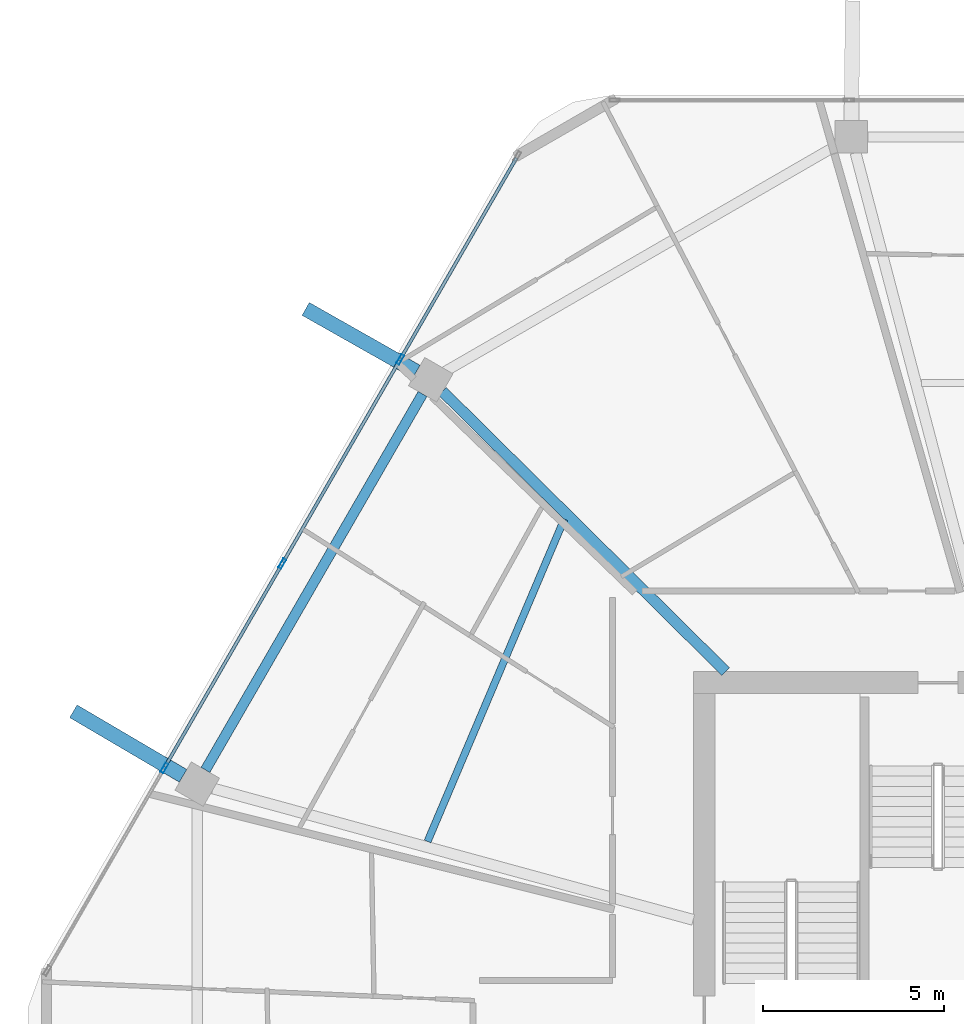
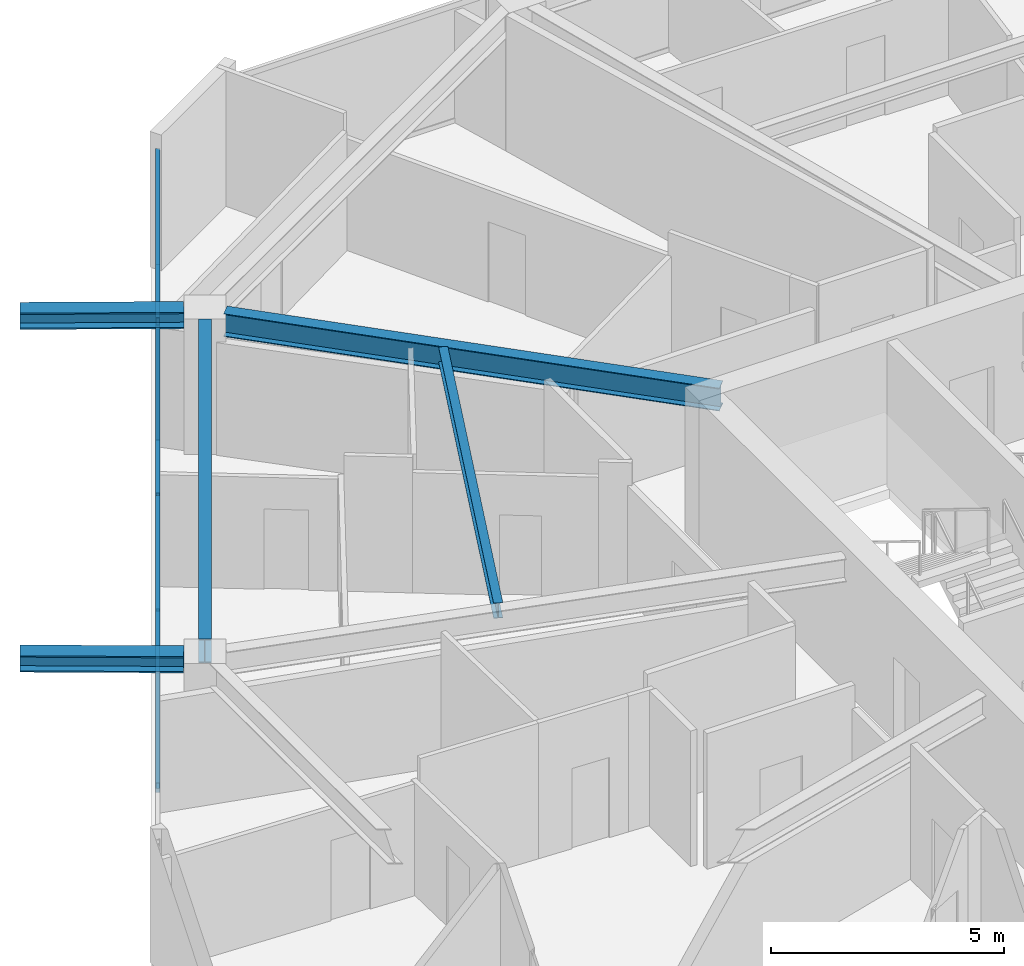
# One storey, part 11 of 26: 9 members, 5 beams, 1 element without a shape of its own.
"""IFC4 building model written with IfcOpenShell, lengths in metres."""

from ifc_helpers import new_model, si_unit, direction, frame, origin, origin_2d, place, context, subcontext, project, spatial, hollow_rectangle, i_section, extrude, material, material_profile, profile_set, type_object, element, aggregate, save


model = new_model("IFC4")

# Units and contexts
model_context = context("Model", 3, precision=1e-05, world=origin(), true_north=direction((0.0, 1.0)))
body_context = subcontext(model_context, "Body", "Model", "MODEL_VIEW")
ifc_project = project(units=[si_unit("LENGTHUNIT", "METRE"), si_unit("AREAUNIT", "SQUARE_METRE"), si_unit("VOLUMEUNIT", "CUBIC_METRE"), si_unit("PLANEANGLEUNIT", "RADIAN"), si_unit("MASSUNIT", "GRAM", prefix="KILO")], contexts=[model_context])

# Site, building, storey
site_placement = place(None, origin())
site = spatial("IfcSite", under=ifc_project, at=site_placement, CompositionType="ELEMENT")
building_placement = place(site_placement, origin())
building = spatial("IfcBuilding", under=site, at=building_placement, Name="Zuhravey Tower", CompositionType="ELEMENT")
storey_placement = place(building_placement, frame((0.0, 0.0, 250.199951171875)))
storey = spatial("IfcBuildingStorey", under=building, at=storey_placement, Name="L63", CompositionType="ELEMENT", Elevation=250.199951171875)

# Curtain wall, members
ifc_material_1 = material(Name="Thermally broken anodised aluminium", Category="aluminium")
curtain_wall_type = type_object("IfcCurtainWallType", Name="Zone 3-4 High-Rise Curtain Wall CW4", PredefinedType="NOTDEFINED", material=ifc_material_1)
curtain_wall_placement = place(storey_placement, origin())
curtain_wall = element("IfcCurtainWall", 1, at=curtain_wall_placement, inside=storey, type_object=curtain_wall_type, Name="L63 CW4 CW-L63-F3-1", PredefinedType="NOTDEFINED")
ifc_material_2 = material(Name="Anodised aluminium", Category="aluminium")
ifc_material_profile_1 = material_profile(ifc_material_2, hollow_rectangle(XDim=0.090087890625, YDim=0.284912109375, WallThickness=0.0048828125, at=origin_2d()), Name="ALU-RHS-90x285x5")
ifc_profile_set_1 = profile_set([ifc_material_profile_1], Name="Anodised aluminium")
member_type_1 = type_object("IfcMemberType", Name="Curtain-Wall Mullion 90x180", PredefinedType="MULLION", material=ifc_profile_set_1)
member_1_placement = place(storey_placement, frame((10.608154296875, 39.147216796875, 0.0), z_axis=(0.0, 0.0, 1.0), x_axis=(-0.866024851021, 0.500000957414, 0.0)))
member_1 = element("IfcMember", 2, at=member_1_placement, type_object=member_type_1, Name="CW4 mullion 2", PredefinedType="MULLION", context=body_context, shape_type="SweptSolid", body=[
    extrude(hollow_rectangle(XDim=0.090087890625, YDim=0.284912109375, WallThickness=0.0048828125, at=origin_2d()), origin(), (0.0, 0.0, 1.0), 3.1220703125),
])
member_2_placement = place(storey_placement, frame((13.861328125, 44.78173828125, 0.0), z_axis=(0.0, 0.0, 1.0), x_axis=(-0.866024851021, 0.500000957414, 0.0)))
member_2 = element("IfcMember", 3, at=member_2_placement, type_object=member_type_1, Name="CW4 mullion 3", PredefinedType="MULLION", context=body_context, shape_type="SweptSolid", body=[
    extrude(hollow_rectangle(XDim=0.090087890625, YDim=0.284912109375, WallThickness=0.0048828125, at=origin_2d()), origin(), (0.0, 0.0, 1.0), 3.1220703125),
])
member_3_placement = place(storey_placement, frame((17.114501953125, 50.41650390625, 0.0), z_axis=(0.0, 0.0, 1.0), x_axis=(-0.866024851021, 0.500000957414, 0.0)))
member_3 = element("IfcMember", 4, at=member_3_placement, type_object=member_type_1, Name="CW4 mullion 4", PredefinedType="MULLION", context=body_context, shape_type="SweptSolid", body=[
    extrude(hollow_rectangle(XDim=0.090087890625, YDim=0.284912109375, WallThickness=0.0048828125, at=origin_2d()), origin(), (0.0, 0.0, 1.0), 3.1220703125),
])
ifc_material_profile_2 = material_profile(ifc_material_2, hollow_rectangle(XDim=0.090087890625, YDim=0.14990234375, WallThickness=0.0048828125, at=origin_2d()), Name="ALU-RHS-90x150x5")
ifc_profile_set_2 = profile_set([ifc_material_profile_2], Name="Anodised aluminium")
member_type_2 = type_object("IfcMemberType", Name="Curtain-Wall Transom 90x150", PredefinedType="USERDEFINED", material=ifc_profile_set_2)
member_4_placement = place(storey_placement, frame((10.630615234375, 39.18603515625, 0.045166015625), z_axis=(0.499998017366, 0.866026548456, 0.0), x_axis=(-0.866026548456, 0.499998017366, 0.0)))
member_4 = element("IfcMember", 5, at=member_4_placement, type_object=member_type_2, Name="CW4 transom 2.1", ObjectType="TRANSOM", PredefinedType="USERDEFINED", context=body_context, shape_type="SweptSolid", body=[
    extrude(hollow_rectangle(XDim=0.090087890625, YDim=0.14990234375, WallThickness=0.0048828125, at=origin_2d()), origin(), (0.0, 0.0, 1.0), 6.41650390625),
])
member_5_placement = place(storey_placement, frame((10.630615234375, 39.18603515625, 3.0771484375), z_axis=(0.499998017366, 0.866026548456, 0.0), x_axis=(-0.866026548456, 0.499998017366, 0.0)))
member_5 = element("IfcMember", 6, at=member_5_placement, type_object=member_type_2, Name="CW4 transom 2.2", ObjectType="TRANSOM", PredefinedType="USERDEFINED", context=body_context, shape_type="SweptSolid", body=[
    extrude(hollow_rectangle(XDim=0.090087890625, YDim=0.14990234375, WallThickness=0.0048828125, at=origin_2d()), origin(), (0.0, 0.0, 1.0), 6.41650390625),
])
member_6_placement = place(storey_placement, frame((13.8837890625, 44.82080078125, 0.045166015625), z_axis=(0.500014493347, 0.866017035885, 0.0), x_axis=(-0.866017035885, 0.500014493347, 0.0)))
member_6 = element("IfcMember", 7, at=member_6_placement, type_object=member_type_2, Name="CW4 transom 3.1", ObjectType="TRANSOM", PredefinedType="USERDEFINED", context=body_context, shape_type="SweptSolid", body=[
    extrude(hollow_rectangle(XDim=0.090087890625, YDim=0.14990234375, WallThickness=0.0048828125, at=origin_2d()), origin(), (0.0, 0.0, 1.0), 6.416259765625),
])
member_7_placement = place(storey_placement, frame((13.8837890625, 44.82080078125, 3.0771484375), z_axis=(0.500014493347, 0.866017035885, 0.0), x_axis=(-0.866017035885, 0.500014493347, 0.0)))
member_7 = element("IfcMember", 8, at=member_7_placement, type_object=member_type_2, Name="CW4 transom 3.2", ObjectType="TRANSOM", PredefinedType="USERDEFINED", context=body_context, shape_type="SweptSolid", body=[
    extrude(hollow_rectangle(XDim=0.090087890625, YDim=0.14990234375, WallThickness=0.0048828125, at=origin_2d()), origin(), (0.0, 0.0, 1.0), 6.416259765625),
])
member_8_placement = place(storey_placement, frame((17.136962890625, 50.455322265625, 0.045166015625), z_axis=(0.499980071345, 0.866036909293, 0.0), x_axis=(-0.866036909293, 0.499980071345, 0.0)))
member_8 = element("IfcMember", 9, at=member_8_placement, type_object=member_type_2, Name="CW4 transom 4.1", ObjectType="TRANSOM", PredefinedType="USERDEFINED", context=body_context, shape_type="SweptSolid", body=[
    extrude(hollow_rectangle(XDim=0.090087890625, YDim=0.14990234375, WallThickness=0.0048828125, at=origin_2d()), origin(), (0.0, 0.0, 1.0), 6.371337890625),
])
member_9_placement = place(storey_placement, frame((17.136962890625, 50.455322265625, 3.0771484375), z_axis=(0.499980071345, 0.866036909293, 0.0), x_axis=(-0.866036909293, 0.499980071345, 0.0)))
member_9 = element("IfcMember", 10, at=member_9_placement, type_object=member_type_2, Name="CW4 transom 4.2", ObjectType="TRANSOM", PredefinedType="USERDEFINED", context=body_context, shape_type="SweptSolid", body=[
    extrude(hollow_rectangle(XDim=0.090087890625, YDim=0.14990234375, WallThickness=0.0048828125, at=origin_2d()), origin(), (0.0, 0.0, 1.0), 6.371337890625),
])
aggregate(curtain_wall, [member_1, member_2, member_3, member_4, member_5, member_6, member_7, member_8, member_9])

# Beams
ifc_material_3 = material(Name="Steel SM460", Category="steel")
ifc_material_profile_3 = material_profile(ifc_material_3, i_section(OverallWidth=0.406982421875, OverallDepth=0.427978515625, WebThickness=0.02001953125, FlangeThickness=0.034912109375, at=origin_2d()), Name="H-428x407x20x35")
ifc_profile_set_3 = profile_set([ifc_material_profile_3], Name="Steel SM460")
beam_type_1 = type_object("IfcBeamType", Name="Exoskeleton Node Tie Beam H428x407", PredefinedType="BEAM", material=ifc_profile_set_3)
beam_1_placement = place(storey_placement, frame((17.561279296875, 50.078369140625, 3.3359375), z_axis=(-0.870149411826, 0.492787987982, 0.0), x_axis=(-0.492787987982, -0.870149411826, 0.0)))
element("IfcBeam", 11, at=beam_1_placement, inside=storey, type_object=beam_type_1, Name="L63 Exoskeleton Node Tie NT1-05", PredefinedType="BEAM", context=body_context, shape_type="SweptSolid", body=[
    extrude(i_section(OverallWidth=0.406982421875, OverallDepth=0.427978515625, WebThickness=0.02001953125, FlangeThickness=0.034912109375, at=origin_2d()), origin(), (0.0, 0.0, 1.0), 3.510986328125),
])
beam_2_placement = place(storey_placement, frame((11.124267578125, 38.92919921875, 3.3359375), z_axis=(-0.861848405049, 0.507165975509, 0.0), x_axis=(-0.507165975509, -0.861848405049, 0.0)))
element("IfcBeam", 12, at=beam_2_placement, inside=storey, type_object=beam_type_1, Name="L63 Exoskeleton Node Tie NT1-06", PredefinedType="BEAM", context=body_context, shape_type="SweptSolid", body=[
    extrude(i_section(OverallWidth=0.406982421875, OverallDepth=0.427978515625, WebThickness=0.02001953125, FlangeThickness=0.034912109375, at=origin_2d()), origin(), (0.0, 0.0, 1.0), 3.51123046875),
])
ifc_material_4 = material(Name="Steel SM355", Category="steel")
ifc_material_profile_4 = material_profile(ifc_material_4, i_section(OverallWidth=0.280029296875, OverallDepth=0.6201171875, WebThickness=0.011962890625, FlangeThickness=0.02001953125, at=origin_2d()), Name="H-620x280x12x20")
ifc_profile_set_4 = profile_set([ifc_material_profile_4], Name="Steel SM355")
beam_type_2 = type_object("IfcBeamType", Name="Perimeter Ring Beam H620x280", PredefinedType="BEAM", material=ifc_profile_set_4)
beam_3_placement = place(storey_placement, frame((17.72998046875, 49.46240234375, 3.239990234375), z_axis=(-0.500017744717, -0.866015158625, 0.0), x_axis=(0.866015158625, -0.500017744717, 0.0)))
element("IfcBeam", 13, at=beam_3_placement, inside=storey, type_object=beam_type_2, Name="L63 PB3 BM-L63-PB-05", PredefinedType="BEAM", context=body_context, shape_type="SweptSolid", body=[
    extrude(i_section(OverallWidth=0.280029296875, OverallDepth=0.6201171875, WebThickness=0.011962890625, FlangeThickness=0.02001953125, at=origin_2d()), origin(), (0.0, 0.0, 1.0), 11.9755859375),
])
ifc_material_profile_5 = material_profile(ifc_material_4, i_section(OverallWidth=0.300048828125, OverallDepth=0.60009765625, WebThickness=0.011962890625, FlangeThickness=0.02001953125, at=origin_2d()), Name="H-600x300x12x20")
ifc_profile_set_5 = profile_set([ifc_material_profile_5], Name="Steel SM355")
beam_type_3 = type_object("IfcBeamType", Name="Radial Primary Girder H600x300", PredefinedType="BEAM", material=ifc_profile_set_5)
beam_4_placement = place(storey_placement, frame((26.09326171875, 41.802978515625, 3.25), z_axis=(-0.710816516282, 0.703377480576, 0.0), x_axis=(-0.703377480576, -0.710816516282, 0.0)))
element("IfcBeam", 14, at=beam_4_placement, inside=storey, type_object=beam_type_3, Name="L63 RG3 BM-L63-RAD-05", PredefinedType="BEAM", context=body_context, shape_type="SweptSolid", body=[
    extrude(i_section(OverallWidth=0.300048828125, OverallDepth=0.60009765625, WebThickness=0.011962890625, FlangeThickness=0.02001953125, at=origin_2d()), origin(), (0.0, 0.0, 1.0), 10.994384765625),
])
ifc_material_profile_6 = material_profile(ifc_material_4, i_section(OverallWidth=0.199951171875, OverallDepth=0.39990234375, WebThickness=0.008056640625, FlangeThickness=0.012939453125, at=origin_2d()), Name="H-400x200x8x13")
ifc_profile_set_6 = profile_set([ifc_material_profile_6], Name="Steel SM355")
beam_type_4 = type_object("IfcBeamType", Name="Secondary Floor Joist H400x200", PredefinedType="JOIST", material=ifc_profile_set_6)
beam_5_placement = place(storey_placement, frame((21.63916015625, 46.009033203125, 3.35009765625), z_axis=(-0.390413493754, -0.920639616731, 0.0), x_axis=(0.920639616731, -0.390413493754, 0.0)))
element("IfcBeam", 15, at=beam_5_placement, inside=storey, type_object=beam_type_4, Name="L63 SJ2 BM-L63-SJ-05-1", PredefinedType="JOIST", context=body_context, shape_type="SweptSolid", body=[
    extrude(i_section(OverallWidth=0.199951171875, OverallDepth=0.39990234375, WebThickness=0.008056640625, FlangeThickness=0.012939453125, at=origin_2d()), origin(), (0.0, 0.0, 1.0), 9.656494140625),
])

save(model, "model.ifc")
